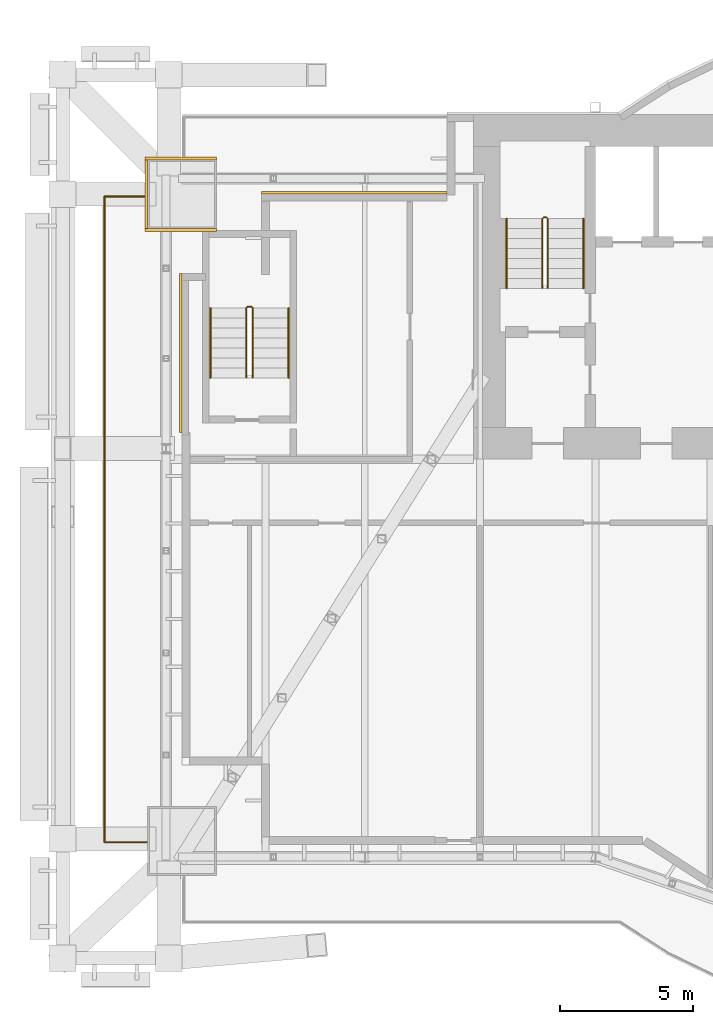
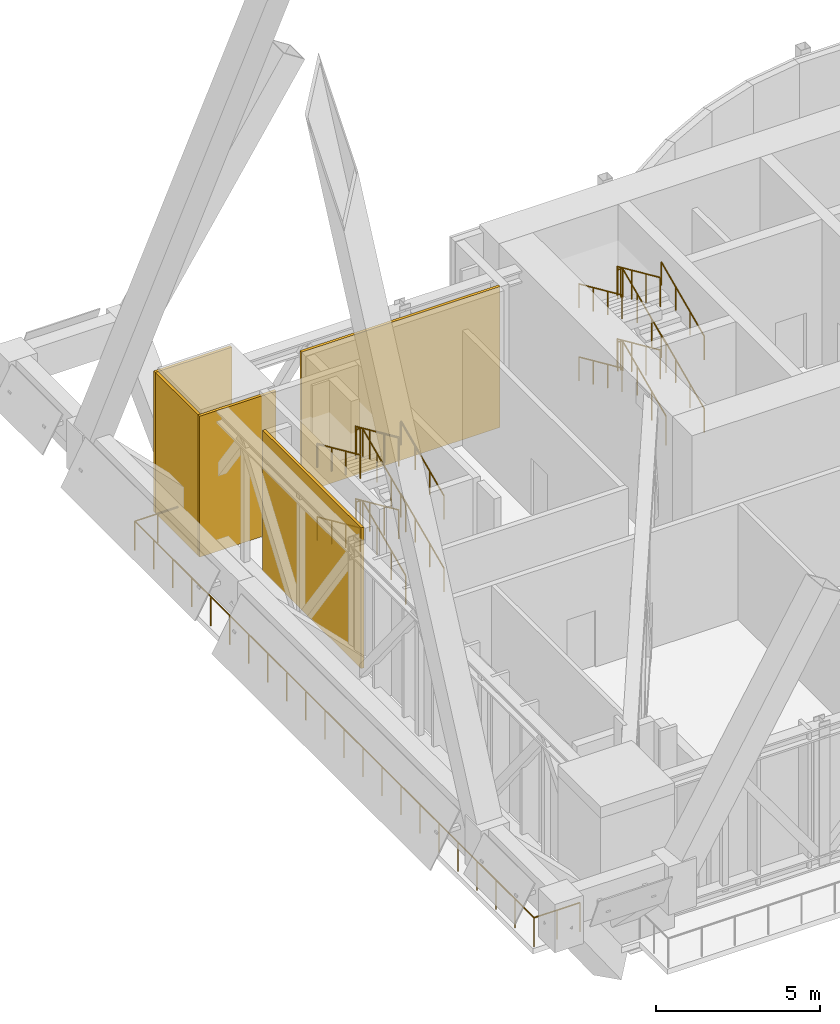
# One storey, part 28 of 31: 13 railings, 5 coverings.
"""IFC4 building model written with IfcOpenShell, lengths in metres."""

from ifc_helpers import new_model, si_unit, direction, frame, origin, origin_2d, place, context, subcontext, project, spatial, rectangle, circle, extrude, material, layer, layer_set, type_object, element, save


model = new_model("IFC4")

# Units and contexts
model_context = context("Model", 3, precision=1e-05, world=origin(), true_north=direction((0.0, 1.0)))
body_context = subcontext(model_context, "Body", "Model", "MODEL_VIEW")
ifc_project = project(units=[si_unit("LENGTHUNIT", "METRE"), si_unit("AREAUNIT", "SQUARE_METRE"), si_unit("VOLUMEUNIT", "CUBIC_METRE"), si_unit("PLANEANGLEUNIT", "RADIAN"), si_unit("MASSUNIT", "GRAM", prefix="KILO")], contexts=[model_context])

# Site, building, storey
site_placement = place(None, origin())
site = spatial("IfcSite", under=ifc_project, at=site_placement, CompositionType="ELEMENT")
building_placement = place(site_placement, origin())
building = spatial("IfcBuilding", under=site, at=building_placement, Name="Bicima Exchange Tower", CompositionType="ELEMENT")
storey_placement = place(building_placement, frame((0.0, 0.0, 236.0)))
storey = spatial("IfcBuildingStorey", under=building, at=storey_placement, Name="L53", CompositionType="ELEMENT", Elevation=236.0)

# Coverings
ifc_material_1 = material(Name="Bronze metal cladding")
ifc_layer_1 = layer(ifc_material_1, 0.004)
ifc_material_2 = material(Name="Ventilated cavity")
ifc_layer_2 = layer(ifc_material_2, 0.06)
ifc_material_3 = material(Name="Galvanised steel rail and mineral wool", Category="steel")
ifc_layer_3 = layer(ifc_material_3, 0.036)
ifc_layer_set = layer_set([ifc_layer_1, ifc_layer_2, ifc_layer_3], Name="Ventilated cavity")
covering_type = type_object("IfcCoveringType", Name="Bronze metal cladding panel 100", PredefinedType="CLADDING", material=ifc_layer_set)
covering_1_placement = place(storey_placement, frame((-26.5, -2.949951171875, 0.0), z_axis=(0.0, 0.0, 1.0), x_axis=(-1.0, 0.0, 0.0)))
element("IfcCovering", 1, at=covering_1_placement, inside=storey, type_object=covering_type, Name="Bronze cladding L53 28.1", PredefinedType="CLADDING", context=body_context, shape_type="SweptSolid", body=[
    extrude(rectangle(XDim=7.0, YDim=0.10009765625, at=origin_2d()), origin(), (0.0, 0.0, 1.0), 5.25),
])
covering_2_placement = place(storey_placement, frame((-33.050048828125, -9.0, 0.0), z_axis=(0.0, 0.0, 1.0), x_axis=(0.0, -1.0, 0.0)))
element("IfcCovering", 2, at=covering_2_placement, inside=storey, type_object=covering_type, Name="Bronze cladding L53 31.1", PredefinedType="CLADDING", context=body_context, shape_type="SweptSolid", body=[
    extrude(rectangle(XDim=6.0, YDim=0.10009765625, at=origin_2d()), origin(), (0.0, 0.0, 1.0), 5.25),
])
for number, where, z_axis, x_axis, name in (
    (3, (-33.050048828125, -1.64990234375, 0.0), (0.0, 0.0, 1.0), (1.0, 0.0, 0.0), "Column cladding L53 1N"),
    (4, (-33.050048828125, -4.35009765625, 0.0), (0.0, 0.0, 1.0), (1.0, 0.0, 0.0), "Column cladding L53 1S"),
):
    element("IfcCovering", number, at=place(storey_placement, frame(where, z_axis=z_axis, x_axis=x_axis)), inside=storey, type_object=covering_type, Name=name, PredefinedType="CLADDING", context=body_context, shape_type="SweptSolid", body=[
        extrude(rectangle(XDim=2.699951171875, YDim=0.10009765625, at=origin_2d()), origin(), (0.0, 0.0, 1.0), 5.25),
    ])
covering_3_placement = place(storey_placement, frame((-34.35009765625, -3.0, 0.0), z_axis=(0.0, 0.0, 1.0), x_axis=(1.0, 0.0, 0.0)))
element("IfcCovering", 5, at=covering_3_placement, inside=storey, type_object=covering_type, Name="Column cladding L53 1O", PredefinedType="CLADDING", context=body_context, shape_type="SweptSolid", body=[
    extrude(rectangle(XDim=0.10009765625, YDim=2.60009765625, at=origin_2d()), origin(), (0.0, 0.0, 1.0), 5.25),
])

# Railings
ifc_material_4 = material(Name="Stainless steel", Category="steel")
railing_type_1 = type_object("IfcRailingType", Name="Stair guard 1100", PredefinedType="GUARDRAIL", material=ifc_material_4)
railing_1_placement = place(storey_placement, frame((-19.199951171875, -6.550048828125, 0.168701171875)))
element("IfcRailing", 6, at=railing_1_placement, inside=storey, type_object=railing_type_1, Name="L53 ST-W stair guard 1", PredefinedType="GUARDRAIL", context=body_context, shape_type="SweptSolid", body=[
    extrude(circle(Radius=0.02392578125, at=origin_2d()), frame((0.0, 0.0, 1.076171875), z_axis=(0.0, 0.912201722539, 0.409741403079), x_axis=(-1.0, 0.0, 0.0)), (0.0, 0.0, 1.0), 2.88330078125),
    extrude(circle(Radius=0.02392578125, at=origin_2d()), frame((0.0, 2.630126953125, 2.25732421875), z_axis=(-0.708833529934, 0.705375805398, 0.0), x_axis=(-0.705375805398, -0.708833529934, 0.0)), (0.0, 0.0, 1.0), 0.070556640625),
    extrude(circle(Radius=0.02392578125, at=origin_2d()), frame((-0.050048828125, 2.679931640625, 2.25732421875), z_axis=(-1.0, 0.0, 0.0), x_axis=(0.0, -1.0, 0.0)), (0.0, 0.0, 1.0), 0.10009765625),
    extrude(circle(Radius=0.02392578125, at=origin_2d()), frame((-0.150146484375, 2.679931640625, 2.25732421875), z_axis=(-0.272433089069, -0.272433089069, 0.922800316407), x_axis=(0.707106781187, -0.707106781187, 0.0)), (0.0, 0.0, 1.0), 0.182861328125),
    extrude(circle(Radius=0.02392578125, at=origin_2d()), frame((-0.199951171875, 2.630126953125, 2.42626953125), z_axis=(0.0, -0.912233369549, 0.409670940488), x_axis=(1.0, 0.0, 0.0)), (0.0, 0.0, 1.0), 2.883056640625),
    extrude(circle(Radius=0.02099609375, at=origin_2d()), origin(), (0.0, 0.0, 1.0), 1.052001953125),
    extrude(circle(Radius=0.02099609375, at=origin_2d()), frame((0.0, 0.876708984375, 0.393798828125)), (0.0, 0.0, 1.0), 1.052001953125),
    extrude(circle(Radius=0.02099609375, at=origin_2d()), frame((0.0, 1.75341796875, 0.78759765625)), (0.0, 0.0, 1.0), 1.052001953125),
    extrude(circle(Radius=0.02099609375, at=origin_2d()), frame((0.0, 2.630126953125, 1.181396484375)), (0.0, 0.0, 1.0), 1.052001953125),
    extrude(circle(Radius=0.02099609375, at=origin_2d()), frame((-0.050048828125, 2.679931640625, 1.181396484375)), (0.0, 0.0, 1.0), 1.052001953125),
    extrude(circle(Radius=0.02099609375, at=origin_2d()), frame((-0.150146484375, 2.679931640625, 1.181396484375)), (0.0, 0.0, 1.0), 1.052001953125),
    extrude(circle(Radius=0.02099609375, at=origin_2d()), frame((-0.199951171875, 2.630126953125, 1.35009765625)), (0.0, 0.0, 1.0), 1.052001953125),
    extrude(circle(Radius=0.02099609375, at=origin_2d()), frame((-0.199951171875, 1.75341796875, 1.743896484375)), (0.0, 0.0, 1.0), 1.052001953125),
    extrude(circle(Radius=0.02099609375, at=origin_2d()), frame((-0.199951171875, 0.876708984375, 2.137451171875)), (0.0, 0.0, 1.0), 1.052001953125),
    extrude(circle(Radius=0.02099609375, at=origin_2d()), frame((-0.199951171875, 0.0, 2.53125)), (0.0, 0.0, 1.0), 1.052001953125),
])
railing_2_placement = place(storey_placement, frame((-19.199951171875, -6.550048828125, 2.86865234375)))
element("IfcRailing", 7, at=railing_2_placement, inside=storey, type_object=railing_type_1, Name="L53 ST-W stair guard 2", PredefinedType="GUARDRAIL", context=body_context, shape_type="SweptSolid", body=[
    extrude(circle(Radius=0.02392578125, at=origin_2d()), frame((0.0, 0.0, 1.076171875), z_axis=(0.0, 0.912201722539, 0.409741403079), x_axis=(-1.0, 0.0, 0.0)), (0.0, 0.0, 1.0), 2.88330078125),
    extrude(circle(Radius=0.02392578125, at=origin_2d()), frame((0.0, 2.630126953125, 2.25732421875), z_axis=(-0.708833529934, 0.705375805398, 0.0), x_axis=(-0.705375805398, -0.708833529934, 0.0)), (0.0, 0.0, 1.0), 0.070556640625),
    extrude(circle(Radius=0.02392578125, at=origin_2d()), frame((-0.050048828125, 2.679931640625, 2.25732421875), z_axis=(-1.0, 0.0, 0.0), x_axis=(0.0, -1.0, 0.0)), (0.0, 0.0, 1.0), 0.10009765625),
    extrude(circle(Radius=0.02392578125, at=origin_2d()), frame((-0.150146484375, 2.679931640625, 2.25732421875), z_axis=(-0.272433089069, -0.272433089069, 0.922800316407), x_axis=(0.707106781187, -0.707106781187, 0.0)), (0.0, 0.0, 1.0), 0.182861328125),
    extrude(circle(Radius=0.02392578125, at=origin_2d()), frame((-0.199951171875, 2.630126953125, 2.42626953125), z_axis=(0.0, -0.912233369549, 0.409670940488), x_axis=(1.0, 0.0, 0.0)), (0.0, 0.0, 1.0), 2.883056640625),
    extrude(circle(Radius=0.02099609375, at=origin_2d()), origin(), (0.0, 0.0, 1.0), 1.052001953125),
    extrude(circle(Radius=0.02099609375, at=origin_2d()), frame((0.0, 0.876708984375, 0.393798828125)), (0.0, 0.0, 1.0), 1.052001953125),
    extrude(circle(Radius=0.02099609375, at=origin_2d()), frame((0.0, 1.75341796875, 0.78759765625)), (0.0, 0.0, 1.0), 1.052001953125),
    extrude(circle(Radius=0.02099609375, at=origin_2d()), frame((0.0, 2.630126953125, 1.181396484375)), (0.0, 0.0, 1.0), 1.052001953125),
    extrude(circle(Radius=0.02099609375, at=origin_2d()), frame((-0.050048828125, 2.679931640625, 1.181396484375)), (0.0, 0.0, 1.0), 1.052001953125),
    extrude(circle(Radius=0.02099609375, at=origin_2d()), frame((-0.150146484375, 2.679931640625, 1.181396484375)), (0.0, 0.0, 1.0), 1.052001953125),
    extrude(circle(Radius=0.02099609375, at=origin_2d()), frame((-0.199951171875, 2.630126953125, 1.35009765625)), (0.0, 0.0, 1.0), 1.052001953125),
    extrude(circle(Radius=0.02099609375, at=origin_2d()), frame((-0.199951171875, 1.75341796875, 1.743896484375)), (0.0, 0.0, 1.0), 1.052001953125),
    extrude(circle(Radius=0.02099609375, at=origin_2d()), frame((-0.199951171875, 0.876708984375, 2.137451171875)), (0.0, 0.0, 1.0), 1.052001953125),
    extrude(circle(Radius=0.02099609375, at=origin_2d()), frame((-0.199951171875, 0.0, 2.53125)), (0.0, 0.0, 1.0), 1.052001953125),
])
railing_3_placement = place(storey_placement, frame((-30.324951171875, -9.925048828125, 0.168701171875)))
element("IfcRailing", 8, at=railing_3_placement, inside=storey, type_object=railing_type_1, Name="L53 ST-WW stair guard 1", PredefinedType="GUARDRAIL", context=body_context, shape_type="SweptSolid", body=[
    extrude(circle(Radius=0.02392578125, at=origin_2d()), frame((0.0, 0.0, 1.076171875), z_axis=(0.0, 0.912201722539, 0.409741403079), x_axis=(-1.0, 0.0, 0.0)), (0.0, 0.0, 1.0), 2.88330078125),
    extrude(circle(Radius=0.02392578125, at=origin_2d()), frame((0.0, 2.630126953125, 2.25732421875), z_axis=(-0.708833529934, 0.705375805398, 0.0), x_axis=(-0.705375805398, -0.708833529934, 0.0)), (0.0, 0.0, 1.0), 0.070556640625),
    extrude(circle(Radius=0.02392578125, at=origin_2d()), frame((-0.050048828125, 2.679931640625, 2.25732421875), z_axis=(-1.0, 0.0, 0.0), x_axis=(0.0, -1.0, 0.0)), (0.0, 0.0, 1.0), 0.14990234375),
    extrude(circle(Radius=0.02392578125, at=origin_2d()), frame((-0.199951171875, 2.679931640625, 2.25732421875), z_axis=(-0.273668752699, -0.272333783174, 0.922463942026), x_axis=(0.705375805398, -0.708833529934, 0.0)), (0.0, 0.0, 1.0), 0.182861328125),
    extrude(circle(Radius=0.02392578125, at=origin_2d()), frame((-0.25, 2.630126953125, 2.42626953125), z_axis=(0.0, -0.912233369549, 0.409670940488), x_axis=(1.0, 0.0, 0.0)), (0.0, 0.0, 1.0), 2.883056640625),
    extrude(circle(Radius=0.02099609375, at=origin_2d()), origin(), (0.0, 0.0, 1.0), 1.052001953125),
    extrude(circle(Radius=0.02099609375, at=origin_2d()), frame((0.0, 0.876708984375, 0.393798828125)), (0.0, 0.0, 1.0), 1.052001953125),
    extrude(circle(Radius=0.02099609375, at=origin_2d()), frame((0.0, 1.75341796875, 0.78759765625)), (0.0, 0.0, 1.0), 1.052001953125),
    extrude(circle(Radius=0.02099609375, at=origin_2d()), frame((0.0, 2.630126953125, 1.181396484375)), (0.0, 0.0, 1.0), 1.052001953125),
    extrude(circle(Radius=0.02099609375, at=origin_2d()), frame((-0.050048828125, 2.679931640625, 1.181396484375)), (0.0, 0.0, 1.0), 1.052001953125),
    extrude(circle(Radius=0.02099609375, at=origin_2d()), frame((-0.199951171875, 2.679931640625, 1.181396484375)), (0.0, 0.0, 1.0), 1.052001953125),
    extrude(circle(Radius=0.02099609375, at=origin_2d()), frame((-0.25, 2.630126953125, 1.35009765625)), (0.0, 0.0, 1.0), 1.052001953125),
    extrude(circle(Radius=0.02099609375, at=origin_2d()), frame((-0.25, 1.75341796875, 1.743896484375)), (0.0, 0.0, 1.0), 1.052001953125),
    extrude(circle(Radius=0.02099609375, at=origin_2d()), frame((-0.25, 0.876708984375, 2.137451171875)), (0.0, 0.0, 1.0), 1.052001953125),
    extrude(circle(Radius=0.02099609375, at=origin_2d()), frame((-0.25, 0.0, 2.53125)), (0.0, 0.0, 1.0), 1.052001953125),
])
railing_4_placement = place(storey_placement, frame((-30.324951171875, -9.925048828125, 2.86865234375)))
element("IfcRailing", 9, at=railing_4_placement, inside=storey, type_object=railing_type_1, Name="L53 ST-WW stair guard 2", PredefinedType="GUARDRAIL", context=body_context, shape_type="SweptSolid", body=[
    extrude(circle(Radius=0.02392578125, at=origin_2d()), frame((0.0, 0.0, 1.076171875), z_axis=(0.0, 0.912201722539, 0.409741403079), x_axis=(-1.0, 0.0, 0.0)), (0.0, 0.0, 1.0), 2.88330078125),
    extrude(circle(Radius=0.02392578125, at=origin_2d()), frame((0.0, 2.630126953125, 2.25732421875), z_axis=(-0.708833529934, 0.705375805398, 0.0), x_axis=(-0.705375805398, -0.708833529934, 0.0)), (0.0, 0.0, 1.0), 0.070556640625),
    extrude(circle(Radius=0.02392578125, at=origin_2d()), frame((-0.050048828125, 2.679931640625, 2.25732421875), z_axis=(-1.0, 0.0, 0.0), x_axis=(0.0, -1.0, 0.0)), (0.0, 0.0, 1.0), 0.14990234375),
    extrude(circle(Radius=0.02392578125, at=origin_2d()), frame((-0.199951171875, 2.679931640625, 2.25732421875), z_axis=(-0.273668752699, -0.272333783174, 0.922463942026), x_axis=(0.705375805398, -0.708833529934, 0.0)), (0.0, 0.0, 1.0), 0.182861328125),
    extrude(circle(Radius=0.02392578125, at=origin_2d()), frame((-0.25, 2.630126953125, 2.42626953125), z_axis=(0.0, -0.912233369549, 0.409670940488), x_axis=(1.0, 0.0, 0.0)), (0.0, 0.0, 1.0), 2.883056640625),
    extrude(circle(Radius=0.02099609375, at=origin_2d()), origin(), (0.0, 0.0, 1.0), 1.052001953125),
    extrude(circle(Radius=0.02099609375, at=origin_2d()), frame((0.0, 0.876708984375, 0.393798828125)), (0.0, 0.0, 1.0), 1.052001953125),
    extrude(circle(Radius=0.02099609375, at=origin_2d()), frame((0.0, 1.75341796875, 0.78759765625)), (0.0, 0.0, 1.0), 1.052001953125),
    extrude(circle(Radius=0.02099609375, at=origin_2d()), frame((0.0, 2.630126953125, 1.181396484375)), (0.0, 0.0, 1.0), 1.052001953125),
    extrude(circle(Radius=0.02099609375, at=origin_2d()), frame((-0.050048828125, 2.679931640625, 1.181396484375)), (0.0, 0.0, 1.0), 1.052001953125),
    extrude(circle(Radius=0.02099609375, at=origin_2d()), frame((-0.199951171875, 2.679931640625, 1.181396484375)), (0.0, 0.0, 1.0), 1.052001953125),
    extrude(circle(Radius=0.02099609375, at=origin_2d()), frame((-0.25, 2.630126953125, 1.35009765625)), (0.0, 0.0, 1.0), 1.052001953125),
    extrude(circle(Radius=0.02099609375, at=origin_2d()), frame((-0.25, 1.75341796875, 1.743896484375)), (0.0, 0.0, 1.0), 1.052001953125),
    extrude(circle(Radius=0.02099609375, at=origin_2d()), frame((-0.25, 0.876708984375, 2.137451171875)), (0.0, 0.0, 1.0), 1.052001953125),
    extrude(circle(Radius=0.02099609375, at=origin_2d()), frame((-0.25, 0.0, 2.53125)), (0.0, 0.0, 1.0), 1.052001953125),
])
railing_type_2 = type_object("IfcRailingType", Name="Stair handrail 900", PredefinedType="HANDRAIL", material=ifc_material_4)
railing_5_placement = place(storey_placement, frame((-17.85009765625, -6.550048828125, 0.168701171875)))
element("IfcRailing", 10, at=railing_5_placement, inside=storey, type_object=railing_type_2, Name="L53 ST-W stair handrail 1", PredefinedType="HANDRAIL", context=body_context, shape_type="SweptSolid", body=[
    extrude(circle(Radius=0.02392578125, at=origin_2d()), frame((0.0, 0.0, 0.8759765625), z_axis=(0.0, 0.912201722539, 0.409741403079), x_axis=(-1.0, 0.0, 0.0)), (0.0, 0.0, 1.0), 2.88330078125),
    extrude(circle(Radius=0.02099609375, at=origin_2d()), origin(), (0.0, 0.0, 1.0), 0.851806640625),
    extrude(circle(Radius=0.02099609375, at=origin_2d()), frame((0.0, 0.876708984375, 0.393798828125)), (0.0, 0.0, 1.0), 0.851806640625),
    extrude(circle(Radius=0.02099609375, at=origin_2d()), frame((0.0, 1.75341796875, 0.78759765625)), (0.0, 0.0, 1.0), 0.851806640625),
    extrude(circle(Radius=0.02099609375, at=origin_2d()), frame((0.0, 2.630126953125, 1.181396484375)), (0.0, 0.0, 1.0), 0.851806640625),
])
railing_6_placement = place(storey_placement, frame((-20.75, -3.919921875, 1.518798828125)))
element("IfcRailing", 11, at=railing_6_placement, inside=storey, type_object=railing_type_2, Name="L53 ST-W stair handrail 2", PredefinedType="HANDRAIL", context=body_context, shape_type="SweptSolid", body=[
    extrude(circle(Radius=0.02392578125, at=origin_2d()), frame((0.0, 0.0, 0.8759765625), z_axis=(0.0, -0.912233369549, 0.409670940488), x_axis=(1.0, 0.0, 0.0)), (0.0, 0.0, 1.0), 2.883056640625),
    extrude(circle(Radius=0.02099609375, at=origin_2d()), origin(), (0.0, 0.0, 1.0), 0.851806640625),
    extrude(circle(Radius=0.02099609375, at=origin_2d()), frame((0.0, -0.876708984375, 0.393798828125)), (0.0, 0.0, 1.0), 0.851806640625),
    extrude(circle(Radius=0.02099609375, at=origin_2d()), frame((0.0, -1.75341796875, 0.787353515625)), (0.0, 0.0, 1.0), 0.851806640625),
    extrude(circle(Radius=0.02099609375, at=origin_2d()), frame((0.0, -2.630126953125, 1.18115234375)), (0.0, 0.0, 1.0), 0.851806640625),
])
railing_7_placement = place(storey_placement, frame((-17.85009765625, -6.550048828125, 2.86865234375)))
element("IfcRailing", 12, at=railing_7_placement, inside=storey, type_object=railing_type_2, Name="L53 ST-W stair handrail 3", PredefinedType="HANDRAIL", context=body_context, shape_type="SweptSolid", body=[
    extrude(circle(Radius=0.02392578125, at=origin_2d()), frame((0.0, 0.0, 0.8759765625), z_axis=(0.0, 0.912201722539, 0.409741403079), x_axis=(-1.0, 0.0, 0.0)), (0.0, 0.0, 1.0), 2.88330078125),
    extrude(circle(Radius=0.02099609375, at=origin_2d()), origin(), (0.0, 0.0, 1.0), 0.851806640625),
    extrude(circle(Radius=0.02099609375, at=origin_2d()), frame((0.0, 0.876708984375, 0.393798828125)), (0.0, 0.0, 1.0), 0.851806640625),
    extrude(circle(Radius=0.02099609375, at=origin_2d()), frame((0.0, 1.75341796875, 0.78759765625)), (0.0, 0.0, 1.0), 0.851806640625),
    extrude(circle(Radius=0.02099609375, at=origin_2d()), frame((0.0, 2.630126953125, 1.181396484375)), (0.0, 0.0, 1.0), 0.851806640625),
])
railing_8_placement = place(storey_placement, frame((-20.75, -3.919921875, 4.241455078125)))
element("IfcRailing", 13, at=railing_8_placement, inside=storey, type_object=railing_type_2, Name="L53 ST-W stair handrail 4", PredefinedType="HANDRAIL", context=body_context, shape_type="SweptSolid", body=[
    extrude(circle(Radius=0.02392578125, at=origin_2d()), frame((0.0, 0.0, 0.8759765625), z_axis=(0.0, -0.912201722539, 0.409741403079), x_axis=(1.0, 0.0, 0.0)), (0.0, 0.0, 1.0), 2.88330078125),
    extrude(circle(Radius=0.02099609375, at=origin_2d()), origin(), (0.0, 0.0, 1.0), 0.851806640625),
    extrude(circle(Radius=0.02099609375, at=origin_2d()), frame((0.0, -0.876708984375, 0.393798828125)), (0.0, 0.0, 1.0), 0.851806640625),
    extrude(circle(Radius=0.02099609375, at=origin_2d()), frame((0.0, -1.75341796875, 0.78759765625)), (0.0, 0.0, 1.0), 0.851806640625),
    extrude(circle(Radius=0.02099609375, at=origin_2d()), frame((0.0, -2.630126953125, 1.181396484375)), (0.0, 0.0, 1.0), 0.851806640625),
])
railing_9_placement = place(storey_placement, frame((-28.97509765625, -9.925048828125, 0.168701171875)))
element("IfcRailing", 14, at=railing_9_placement, inside=storey, type_object=railing_type_2, Name="L53 ST-WW stair handrail 1", PredefinedType="HANDRAIL", context=body_context, shape_type="SweptSolid", body=[
    extrude(circle(Radius=0.02392578125, at=origin_2d()), frame((0.0, 0.0, 0.8759765625), z_axis=(0.0, 0.912201722539, 0.409741403079), x_axis=(-1.0, 0.0, 0.0)), (0.0, 0.0, 1.0), 2.88330078125),
    extrude(circle(Radius=0.02099609375, at=origin_2d()), origin(), (0.0, 0.0, 1.0), 0.851806640625),
    extrude(circle(Radius=0.02099609375, at=origin_2d()), frame((0.0, 0.876708984375, 0.393798828125)), (0.0, 0.0, 1.0), 0.851806640625),
    extrude(circle(Radius=0.02099609375, at=origin_2d()), frame((0.0, 1.75341796875, 0.78759765625)), (0.0, 0.0, 1.0), 0.851806640625),
    extrude(circle(Radius=0.02099609375, at=origin_2d()), frame((0.0, 2.630126953125, 1.181396484375)), (0.0, 0.0, 1.0), 0.851806640625),
])
railing_10_placement = place(storey_placement, frame((-31.925048828125, -7.294921875, 1.518798828125)))
element("IfcRailing", 15, at=railing_10_placement, inside=storey, type_object=railing_type_2, Name="L53 ST-WW stair handrail 2", PredefinedType="HANDRAIL", context=body_context, shape_type="SweptSolid", body=[
    extrude(circle(Radius=0.02392578125, at=origin_2d()), frame((0.0, 0.0, 0.8759765625), z_axis=(0.0, -0.912233369549, 0.409670940488), x_axis=(1.0, 0.0, 0.0)), (0.0, 0.0, 1.0), 2.883056640625),
    extrude(circle(Radius=0.02099609375, at=origin_2d()), origin(), (0.0, 0.0, 1.0), 0.851806640625),
    extrude(circle(Radius=0.02099609375, at=origin_2d()), frame((0.0, -0.876708984375, 0.393798828125)), (0.0, 0.0, 1.0), 0.851806640625),
    extrude(circle(Radius=0.02099609375, at=origin_2d()), frame((0.0, -1.75341796875, 0.787353515625)), (0.0, 0.0, 1.0), 0.851806640625),
    extrude(circle(Radius=0.02099609375, at=origin_2d()), frame((0.0, -2.630126953125, 1.18115234375)), (0.0, 0.0, 1.0), 0.851806640625),
])
railing_11_placement = place(storey_placement, frame((-28.97509765625, -9.925048828125, 2.86865234375)))
element("IfcRailing", 16, at=railing_11_placement, inside=storey, type_object=railing_type_2, Name="L53 ST-WW stair handrail 3", PredefinedType="HANDRAIL", context=body_context, shape_type="SweptSolid", body=[
    extrude(circle(Radius=0.02392578125, at=origin_2d()), frame((0.0, 0.0, 0.8759765625), z_axis=(0.0, 0.912201722539, 0.409741403079), x_axis=(-1.0, 0.0, 0.0)), (0.0, 0.0, 1.0), 2.88330078125),
    extrude(circle(Radius=0.02099609375, at=origin_2d()), origin(), (0.0, 0.0, 1.0), 0.851806640625),
    extrude(circle(Radius=0.02099609375, at=origin_2d()), frame((0.0, 0.876708984375, 0.393798828125)), (0.0, 0.0, 1.0), 0.851806640625),
    extrude(circle(Radius=0.02099609375, at=origin_2d()), frame((0.0, 1.75341796875, 0.78759765625)), (0.0, 0.0, 1.0), 0.851806640625),
    extrude(circle(Radius=0.02099609375, at=origin_2d()), frame((0.0, 2.630126953125, 1.181396484375)), (0.0, 0.0, 1.0), 0.851806640625),
])
railing_12_placement = place(storey_placement, frame((-31.925048828125, -7.294921875, 4.241455078125)))
element("IfcRailing", 17, at=railing_12_placement, inside=storey, type_object=railing_type_2, Name="L53 ST-WW stair handrail 4", PredefinedType="HANDRAIL", context=body_context, shape_type="SweptSolid", body=[
    extrude(circle(Radius=0.02392578125, at=origin_2d()), frame((0.0, 0.0, 0.8759765625), z_axis=(0.0, -0.912201722539, 0.409741403079), x_axis=(1.0, 0.0, 0.0)), (0.0, 0.0, 1.0), 2.88330078125),
    extrude(circle(Radius=0.02099609375, at=origin_2d()), origin(), (0.0, 0.0, 1.0), 0.851806640625),
    extrude(circle(Radius=0.02099609375, at=origin_2d()), frame((0.0, -0.876708984375, 0.393798828125)), (0.0, 0.0, 1.0), 0.851806640625),
    extrude(circle(Radius=0.02099609375, at=origin_2d()), frame((0.0, -1.75341796875, 0.78759765625)), (0.0, 0.0, 1.0), 0.851806640625),
    extrude(circle(Radius=0.02099609375, at=origin_2d()), frame((0.0, -2.630126953125, 1.181396484375)), (0.0, 0.0, 1.0), 0.851806640625),
])
ifc_material_5 = material(Name="Stainless steel and bonded safety glass", Category="steel")
railing_type_3 = type_object("IfcRailingType", Name="Terrace guard 1100", PredefinedType="GUARDRAIL", material=ifc_material_5)
railing_13_placement = place(storey_placement, frame((-34.300048828125, -27.451904296875, 0.0)))
element("IfcRailing", 18, at=railing_13_placement, inside=storey, type_object=railing_type_3, Name="Terrace guard L53 1", PredefinedType="GUARDRAIL", context=body_context, shape_type="SweptSolid", body=[
    extrude(circle(Radius=0.02392578125, at=origin_2d()), frame((0.0, 0.0, 1.076171875), z_axis=(-1.0, 0.0, 0.0), x_axis=(0.0, -1.0, 0.0)), (0.0, 0.0, 1.0), 1.619873046875),
    extrude(circle(Radius=0.02392578125, at=origin_2d()), frame((-1.619873046875, 0.0, 1.076171875), z_axis=(0.0, 1.0, 0.0), x_axis=(-1.0, 0.0, 0.0)), (0.0, 0.0, 1.0), 24.371826171875),
    extrude(circle(Radius=0.02392578125, at=origin_2d()), frame((-1.619873046875, 24.371826171875, 1.076171875), z_axis=(1.0, 0.0, 0.0), x_axis=(0.0, 1.0, 0.0)), (0.0, 0.0, 1.0), 1.619873046875),
    extrude(circle(Radius=0.02099609375, at=origin_2d()), origin(), (0.0, 0.0, 1.0), 1.052001953125),
    extrude(circle(Radius=0.02099609375, at=origin_2d()), frame((-0.81005859375, 0.0, 0.0)), (0.0, 0.0, 1.0), 1.052001953125),
    extrude(circle(Radius=0.02099609375, at=origin_2d()), frame((-1.619873046875, 0.0, 0.0)), (0.0, 0.0, 1.0), 1.052001953125),
    extrude(circle(Radius=0.02099609375, at=origin_2d()), frame((-1.619873046875, 1.16064453125, 0.0)), (0.0, 0.0, 1.0), 1.052001953125),
    extrude(circle(Radius=0.02099609375, at=origin_2d()), frame((-1.619873046875, 2.321044921875, 0.0)), (0.0, 0.0, 1.0), 1.052001953125),
    extrude(circle(Radius=0.02099609375, at=origin_2d()), frame((-1.619873046875, 3.481689453125, 0.0)), (0.0, 0.0, 1.0), 1.052001953125),
    extrude(circle(Radius=0.02099609375, at=origin_2d()), frame((-1.619873046875, 4.642333984375, 0.0)), (0.0, 0.0, 1.0), 1.052001953125),
    extrude(circle(Radius=0.02099609375, at=origin_2d()), frame((-1.619873046875, 5.802734375, 0.0)), (0.0, 0.0, 1.0), 1.052001953125),
    extrude(circle(Radius=0.02099609375, at=origin_2d()), frame((-1.619873046875, 6.96337890625, 0.0)), (0.0, 0.0, 1.0), 1.052001953125),
    extrude(circle(Radius=0.02099609375, at=origin_2d()), frame((-1.619873046875, 8.1240234375, 0.0)), (0.0, 0.0, 1.0), 1.052001953125),
    extrude(circle(Radius=0.02099609375, at=origin_2d()), frame((-1.619873046875, 9.284423828125, 0.0)), (0.0, 0.0, 1.0), 1.052001953125),
    extrude(circle(Radius=0.02099609375, at=origin_2d()), frame((-1.619873046875, 10.445068359375, 0.0)), (0.0, 0.0, 1.0), 1.052001953125),
    extrude(circle(Radius=0.02099609375, at=origin_2d()), frame((-1.619873046875, 11.605712890625, 0.0)), (0.0, 0.0, 1.0), 1.052001953125),
    extrude(circle(Radius=0.02099609375, at=origin_2d()), frame((-1.619873046875, 12.76611328125, 0.0)), (0.0, 0.0, 1.0), 1.052001953125),
    extrude(circle(Radius=0.02099609375, at=origin_2d()), frame((-1.619873046875, 13.9267578125, 0.0)), (0.0, 0.0, 1.0), 1.052001953125),
    extrude(circle(Radius=0.02099609375, at=origin_2d()), frame((-1.619873046875, 15.08740234375, 0.0)), (0.0, 0.0, 1.0), 1.052001953125),
    extrude(circle(Radius=0.02099609375, at=origin_2d()), frame((-1.619873046875, 16.247802734375, 0.0)), (0.0, 0.0, 1.0), 1.052001953125),
    extrude(circle(Radius=0.02099609375, at=origin_2d()), frame((-1.619873046875, 17.408447265625, 0.0)), (0.0, 0.0, 1.0), 1.052001953125),
    extrude(circle(Radius=0.02099609375, at=origin_2d()), frame((-1.619873046875, 18.569091796875, 0.0)), (0.0, 0.0, 1.0), 1.052001953125),
    extrude(circle(Radius=0.02099609375, at=origin_2d()), frame((-1.619873046875, 19.7294921875, 0.0)), (0.0, 0.0, 1.0), 1.052001953125),
    extrude(circle(Radius=0.02099609375, at=origin_2d()), frame((-1.619873046875, 20.89013671875, 0.0)), (0.0, 0.0, 1.0), 1.052001953125),
    extrude(circle(Radius=0.02099609375, at=origin_2d()), frame((-1.619873046875, 22.05078125, 0.0)), (0.0, 0.0, 1.0), 1.052001953125),
    extrude(circle(Radius=0.02099609375, at=origin_2d()), frame((-1.619873046875, 23.211181640625, 0.0)), (0.0, 0.0, 1.0), 1.052001953125),
    extrude(circle(Radius=0.02099609375, at=origin_2d()), frame((-1.619873046875, 24.371826171875, 0.0)), (0.0, 0.0, 1.0), 1.052001953125),
    extrude(circle(Radius=0.02099609375, at=origin_2d()), frame((-0.81005859375, 24.371826171875, 0.0)), (0.0, 0.0, 1.0), 1.052001953125),
    extrude(circle(Radius=0.02099609375, at=origin_2d()), frame((0.0, 24.371826171875, 0.0)), (0.0, 0.0, 1.0), 1.052001953125),
])

save(model, "model.ifc")
